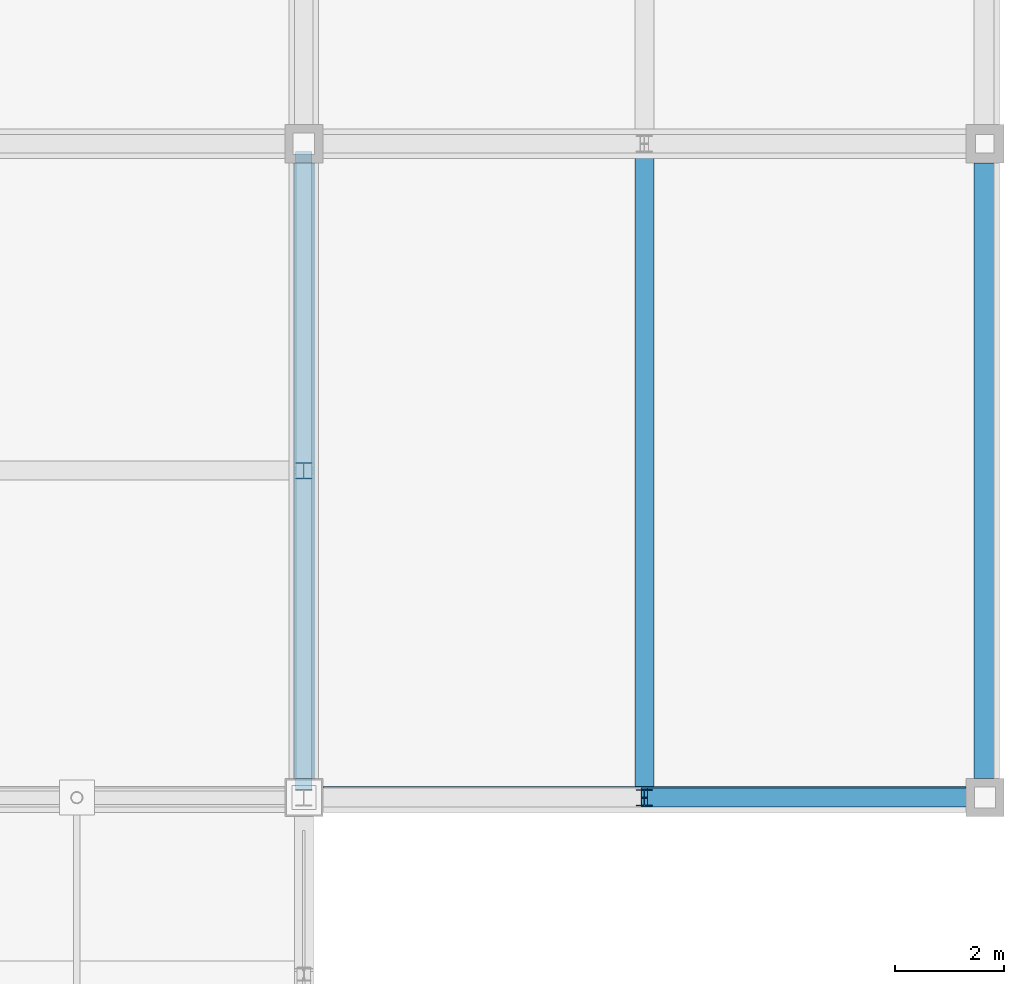
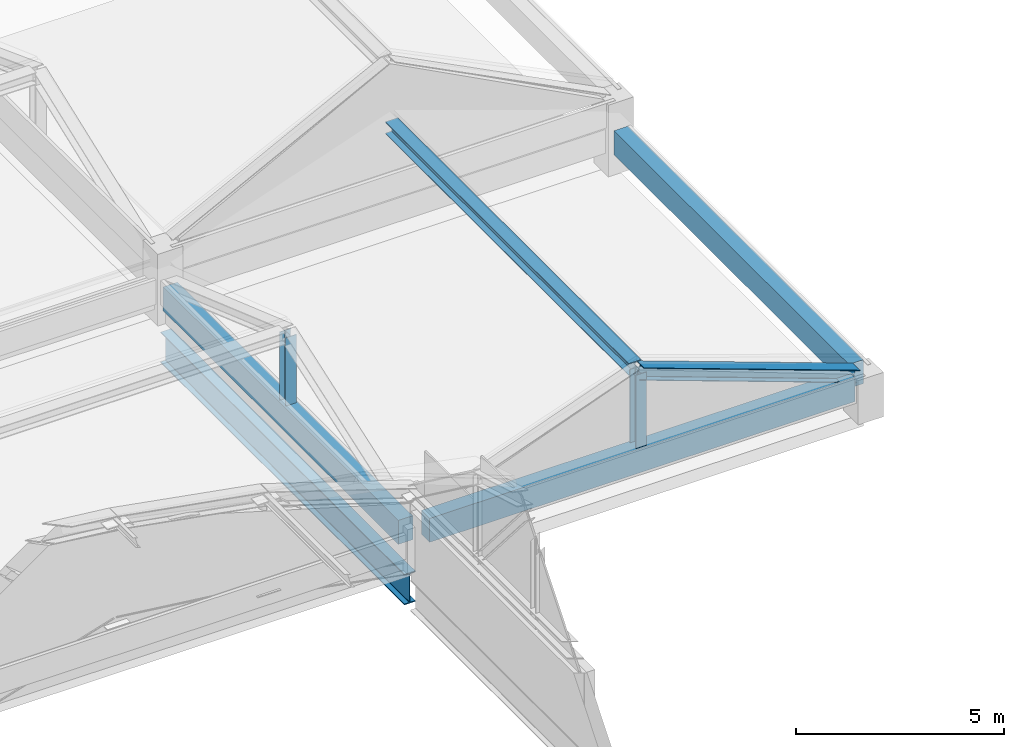
# One storey, part 76 of 117: 4 beams, 4 members.
"""IFC4 building model written with IfcOpenShell, lengths in metres."""

import ifcopenshell
import ifcopenshell.guid

model = None  # the IFC model being written
_history = None  # IfcOwnerHistory: only IFC2X3 demands one
_inside = {}  # id of a spatial element -> (the spatial element, [elements in it])
_under = {}  # id of a project, library or spatial element -> (it, [spatial elements below it])
_declared = {}  # id of a project -> (the project, [libraries it declares])
_typed = {}  # id of a type object -> (the type object, [elements of that type])
_made_of = {}  # id of a material, layer set ... -> (it, [elements and type objects made of it])


def new_model(schema):
    """Start an empty IFC model of exactly this schema.

    Asked for "IFC4X3", IfcOpenShell would pick the latest addendum, in which some entities
    have other attributes; the version numbers below select the first issue.
    IFC2X3 requires an IfcOwnerHistory on every rooted entity: one is made here for all.
    """
    global model, _history
    if schema == "IFC4X3":
        model = ifcopenshell.file(schema_version=(4, 3, 0, 0))
    else:
        model = ifcopenshell.file(schema=schema)
    _inside.clear()
    _under.clear()
    _declared.clear()
    _typed.clear()
    _made_of.clear()
    _history = None
    if model.schema == "IFC2X3":
        org = make("IfcOrganization", Name="unknown")
        user = make(
            "IfcPersonAndOrganization",
            ThePerson=make("IfcPerson", FamilyName="unknown"),
            TheOrganization=org,
        )
        app = make(
            "IfcApplication",
            ApplicationDeveloper=org,
            Version="unknown",
            ApplicationFullName="unknown",
            ApplicationIdentifier="unknown",
        )
        _history = make(
            "IfcOwnerHistory",
            OwningUser=user,
            OwningApplication=app,
            ChangeAction="ADDED",
            CreationDate=0,
        )
    return model


def make(cls, **values):
    """One entity of the class cls with the attributes given. An attribute that is None is left unset."""
    return model.create_entity(
        cls, **{name: value for name, value in values.items() if value is not None}
    )


def rooted(cls, **values):
    """An entity with a GlobalId (a new one), such as an element, a storey or a relation."""
    return make(cls, GlobalId=ifcopenshell.guid.new(), OwnerHistory=_history, **values)


def si_unit(unit_type, name, prefix=None):
    """IfcSIUnit, for example si_unit("LENGTHUNIT", "METRE", prefix="MILLI")."""
    return make("IfcSIUnit", UnitType=unit_type, Prefix=prefix, Name=name)


def assignment(units):
    """IfcUnitAssignment: the units of a project."""
    return None if units is None else make("IfcUnitAssignment", Units=units)


def point(xyz):
    """IfcCartesianPoint."""
    return None if xyz is None else make("IfcCartesianPoint", Coordinates=xyz)


def direction(xyz):
    """IfcDirection."""
    return None if xyz is None else make("IfcDirection", DirectionRatios=xyz)


def frame(location, z_axis=None, x_axis=None):
    """IfcAxis2Placement3D, a coordinate frame: its origin and axes. An axis left out is left unset."""
    return make(
        "IfcAxis2Placement3D",
        Location=point(location),
        Axis=direction(z_axis),
        RefDirection=direction(x_axis),
    )


def frame_2d(location, x_axis=None):
    """IfcAxis2Placement2D, a coordinate frame in the plane: its origin and x axis."""
    return make(
        "IfcAxis2Placement2D", Location=point(location), RefDirection=direction(x_axis)
    )


def origin():
    """The frame at (0, 0, 0) with its axes left unset."""
    return frame((0.0, 0.0, 0.0))


def origin_2d():
    """The frame at (0, 0) in the plane with its x axis left unset."""
    return frame_2d((0.0, 0.0))


def place(relative_to, where):
    """IfcLocalPlacement: puts the frame where relative to a parent placement (None: the world)."""
    return make(
        "IfcLocalPlacement", PlacementRelTo=relative_to, RelativePlacement=where
    )


def context(
    kind, dimensions, precision=None, world=None, true_north=None, identifier=None
):
    """IfcGeometricRepresentationContext, for example the 3D "Model" context."""
    return make(
        "IfcGeometricRepresentationContext",
        ContextIdentifier=identifier,
        ContextType=kind,
        CoordinateSpaceDimension=dimensions,
        Precision=precision,
        WorldCoordinateSystem=world,
        TrueNorth=true_north,
    )


def subcontext(parent, identifier, kind, view, scale=None):
    """IfcGeometricRepresentationSubContext, for example "Body" below "Model"."""
    return make(
        "IfcGeometricRepresentationSubContext",
        ContextIdentifier=identifier,
        ContextType=kind,
        ParentContext=parent,
        TargetScale=scale,
        TargetView=view,
    )


def project(units=None, contexts=None):
    """IfcProject with its units and contexts."""
    return rooted(
        "IfcProject",
        Name="project",
        RepresentationContexts=contexts,
        UnitsInContext=assignment(units),
    )


def spatial(cls, under=None, at=None, **own):
    """A site, building, storey or space (cls), placed at a placement, below another one or the project."""
    s = rooted(cls, ObjectPlacement=at, **own)
    if under is not None:
        _under.setdefault(under.id(), (under, []))[1].append(s)
    return s


def profile(cls, at=None, kind="AREA", **sizes):
    """A parametric profile (cls). Its sizes go by their IFC names, for example OverallWidth=200.0."""
    return make(cls, ProfileType=kind, Position=at, **sizes)


def rectangle(**sizes):
    """IfcRectangleProfileDef."""
    return profile("IfcRectangleProfileDef", **sizes)


def i_section(**sizes):
    """IfcIShapeProfileDef."""
    return profile("IfcIShapeProfileDef", **sizes)


def extrude(swept, where, along, depth):
    """IfcExtrudedAreaSolid: the profile swept, set in the frame where, extruded along a direction by depth."""
    return make(
        "IfcExtrudedAreaSolid",
        SweptArea=swept,
        Position=where,
        ExtrudedDirection=direction(along),
        Depth=depth,
    )


def shape(context_of_items, identifier, shape_type, items):
    """IfcShapeRepresentation: the items that make up one representation, for example the "Body"."""
    return make(
        "IfcShapeRepresentation",
        ContextOfItems=context_of_items,
        RepresentationIdentifier=identifier,
        RepresentationType=shape_type,
        Items=items,
    )


def material(Name=None, Category=None):
    """IfcMaterial."""
    return make("IfcMaterial", Name=Name, Category=Category)


def material_profile(
    of_material, cross_section, Name=None, Category=None, Priority=None
):
    """IfcMaterialProfile: a cross section and its material."""
    return make(
        "IfcMaterialProfile",
        Name=Name,
        Material=of_material,
        Profile=cross_section,
        Priority=Priority,
        Category=Category,
    )


def profile_set(profiles, Name=None, composite=None):
    """IfcMaterialProfileSet."""
    return make(
        "IfcMaterialProfileSet",
        Name=Name,
        MaterialProfiles=profiles,
        CompositeProfile=composite,
    )


def made_of(thing, what):
    """Note that an element or type object is made of a material, layer set ...; save() writes the relation."""
    if what is not None:
        _made_of.setdefault(what.id(), (what, []))[1].append(thing)
    return thing


def type_object(cls, material=None, **own):
    """A type object (cls), such as IfcWallType, which elements share."""
    return made_of(rooted(cls, **own), material)


def element(
    cls,
    number,
    at=None,
    inside=None,
    cuts=None,
    type_object=None,
    material=None,
    context=None,
    identifier="Body",
    shape_type=None,
    held_by="IfcProductDefinitionShape",
    body=None,
    shapes=None,
    **own,
):
    """One element of the class cls, such as IfcWall. Its Tag is "e" and its number.

    at: its placement. inside: the storey or other place that contains it. cuts: it is an
    opening in that element (IfcRelVoidsElement). A single representation is given by context,
    identifier, shape_type and body (its items); several are given by shapes. held_by: the class
    of the entity that holds the representations. save() writes the other relations.
    """
    e = rooted(cls, Tag="e%d" % number, ObjectPlacement=at, **own)
    if body is not None:
        shapes = [shape(context, identifier, shape_type, body)]
    if shapes is not None:
        e.Representation = make(held_by, Representations=shapes)
    if inside is not None:
        _inside.setdefault(inside.id(), (inside, []))[1].append(e)
    if cuts is not None:
        rooted(
            "IfcRelVoidsElement", RelatingBuildingElement=cuts, RelatedOpeningElement=e
        )
    if type_object is not None:
        _typed.setdefault(type_object.id(), (type_object, []))[1].append(e)
    return made_of(e, material)


def aggregate(whole, parts):
    """IfcRelAggregates: a whole, such as a stair, and the parts it consists of."""
    return rooted("IfcRelAggregates", RelatingObject=whole, RelatedObjects=parts)


def save(model, path):
    """Write the relations noted so far, then the file.

    IfcRelAggregates (storeys below a building ...), IfcRelContainedInSpatialStructure (elements
    in a storey), IfcRelDefinesByType, IfcRelAssociatesMaterial and IfcRelDeclares: one each for
    every whole, place, type object, material and project.
    """
    for whole, parts in _under.values():
        aggregate(whole, parts)
    for where, things in _inside.values():
        rooted(
            "IfcRelContainedInSpatialStructure",
            RelatedElements=things,
            RelatingStructure=where,
        )
    for kind, things in _typed.values():
        rooted("IfcRelDefinesByType", RelatedObjects=things, RelatingType=kind)
    for what, things in _made_of.values():
        rooted("IfcRelAssociatesMaterial", RelatedObjects=things, RelatingMaterial=what)
    for by, libraries in _declared.values():
        rooted("IfcRelDeclares", RelatingContext=by, RelatedDefinitions=libraries)
    model.write(path)


model = new_model("IFC4")

# Units and contexts
model_context = context("Model", 3, precision=1e-05, world=origin(), true_north=direction((0.0, 1.0)))
body_context = subcontext(model_context, "Body", "Model", "MODEL_VIEW")
ifc_project = project(units=[si_unit("LENGTHUNIT", "METRE"), si_unit("AREAUNIT", "SQUARE_METRE"), si_unit("VOLUMEUNIT", "CUBIC_METRE"), si_unit("PLANEANGLEUNIT", "RADIAN"), si_unit("MASSUNIT", "GRAM", prefix="KILO")], contexts=[model_context])

# Site, building, storey
site_placement = place(None, origin())
site = spatial("IfcSite", under=ifc_project, at=site_placement, CompositionType="ELEMENT")
building_placement = place(site_placement, origin())
building = spatial("IfcBuilding", under=site, at=building_placement, Name="Kazenohara Klinker Stadium", CompositionType="ELEMENT")
storey_placement = place(building_placement, frame((0.0, 0.0, 31.199951171875)))
storey = spatial("IfcBuildingStorey", under=building, at=storey_placement, Name="RF", CompositionType="ELEMENT", Elevation=31.199951171875)

# Beams
ifc_material_1 = material(Name="Concrete C40/50", Category="concrete")
ifc_material_profile_1 = material_profile(ifc_material_1, rectangle(XDim=0.39990234375, YDim=0.699951171875, at=origin_2d()), Name="RC-BM-400x700")
ifc_profile_set_1 = profile_set([ifc_material_profile_1], Name="Concrete C40/50")
beam_type_1 = type_object("IfcBeamType", Name="BM-RC04", PredefinedType="BEAM", material=ifc_profile_set_1)
beam_1_placement = place(storey_placement, frame((187.85009765625, 132.0, 0.949951171875), z_axis=(1.0, 0.0, 0.0), x_axis=(0.0, 1.0, 0.0)))
element("IfcBeam", 1, at=beam_1_placement, inside=storey, type_object=beam_type_1, Name="Turret crown eave girder BG04 RF X15-11", PredefinedType="BEAM", context=body_context, shape_type="SweptSolid", body=[
    extrude(rectangle(XDim=0.39990234375, YDim=0.699951171875, at=origin_2d()), origin(), (0.0, 0.0, 1.0), 11.7998046875),
])
for number, where, z_axis, x_axis, name in (
    (2, (187.5, 132.35009765625, 0.75), (0.0, 1.0, 0.0), (-1.0, 0.0, 0.0), "Turret crown eave girder BG04 RF Y15-11"),
    (3, (200.0, 132.35009765625, 0.949951171875), (0.0, 1.0, 0.0), (-1.0, 0.0, 0.0), "Turret crown eave girder BG04 RF Y16-11"),
):
    element("IfcBeam", number, at=place(storey_placement, frame(where, z_axis=z_axis, x_axis=x_axis)), inside=storey, type_object=beam_type_1, Name=name, PredefinedType="BEAM", context=body_context, shape_type="SweptSolid", body=[
        extrude(rectangle(XDim=0.39990234375, YDim=0.699951171875, at=origin_2d()), origin(), (0.0, 0.0, 1.0), 11.2998046875),
    ])

# Members
ifc_material_2 = material(Name="Steel S355", Category="steel")
ifc_material_profile_2 = material_profile(ifc_material_2, i_section(OverallWidth=0.35009765625, OverallDepth=0.35009765625, WebThickness=0.011962890625, FlangeThickness=0.01904296875, FilletRadius=0.012939453125, at=origin_2d()), Name="H-350x350x12x19")
ifc_profile_set_2 = profile_set([ifc_material_profile_2], Name="Steel S355")
member_type_1 = type_object("IfcMemberType", Name="MEM-CHD02", PredefinedType="CHORD", material=ifc_profile_set_2)
member_1_placement = place(storey_placement, frame((199.75, 132.0, 1.280029296875), z_axis=(-0.940390807712, 0.0, 0.340095764117), x_axis=(0.0, -1.0, 0.0)))
element("IfcMember", 4, at=member_1_placement, inside=storey, type_object=member_type_1, Name="Crown gable rafter GT3-SE S East", PredefinedType="CHORD", context=body_context, shape_type="SweptSolid", body=[
    extrude(i_section(OverallWidth=0.35009765625, OverallDepth=0.35009765625, WebThickness=0.011962890625, FlangeThickness=0.01904296875, FilletRadius=0.012939453125, at=origin_2d()), origin(), (0.0, 0.0, 1.0), 6.38037109375),
])
member_2_placement = place(storey_placement, frame((193.75, 132.14990234375, 3.449951171875), z_axis=(0.0, 1.0, 0.0), x_axis=(-1.0, 0.0, 0.0)))
element("IfcMember", 5, at=member_2_placement, inside=storey, type_object=member_type_1, Name="Crown ridge beam GT3-SE", PredefinedType="CHORD", context=body_context, shape_type="SweptSolid", body=[
    extrude(i_section(OverallWidth=0.35009765625, OverallDepth=0.35009765625, WebThickness=0.011962890625, FlangeThickness=0.01904296875, FilletRadius=0.012939453125, at=origin_2d()), origin(), (0.0, 0.0, 1.0), 11.7001953125),
])
ifc_material_profile_3 = material_profile(ifc_material_2, i_section(OverallWidth=0.300048828125, OverallDepth=0.300048828125, WebThickness=0.010009765625, FlangeThickness=0.014892578125, FilletRadius=0.012939453125, at=origin_2d()), Name="H-300x300x10x15")
ifc_profile_set_3 = profile_set([ifc_material_profile_3], Name="Steel S355")
member_type_2 = type_object("IfcMemberType", Name="MEM-STR01", PredefinedType="STRUT", material=ifc_profile_set_3)
member_3_placement = place(storey_placement, frame((193.75, 132.0, 1.280029296875), z_axis=(0.0, 0.0, 1.0), x_axis=(1.0, 0.0, 0.0)))
element("IfcMember", 6, at=member_3_placement, inside=storey, type_object=member_type_2, Name="Crown gable king-post GT3-SE S", PredefinedType="STRUT", context=body_context, shape_type="SweptSolid", body=[
    extrude(i_section(OverallWidth=0.300048828125, OverallDepth=0.300048828125, WebThickness=0.010009765625, FlangeThickness=0.014892578125, FilletRadius=0.012939453125, at=origin_2d()), origin(), (0.0, 0.0, 1.0), 2.169921875),
])
member_4_placement = place(storey_placement, frame((187.5, 138.0, 1.080078125), z_axis=(0.0, 0.0, 1.0), x_axis=(1.0, 0.0, 0.0)))
element("IfcMember", 7, at=member_4_placement, inside=storey, type_object=member_type_2, Name="Crown gable king-post GT3-SW E", PredefinedType="STRUT", context=body_context, shape_type="SweptSolid", body=[
    extrude(i_section(OverallWidth=0.300048828125, OverallDepth=0.300048828125, WebThickness=0.010009765625, FlangeThickness=0.014892578125, FilletRadius=0.012939453125, at=origin_2d()), origin(), (0.0, 0.0, 1.0), 2.02001953125),
])

# Beam
ifc_material_profile_4 = material_profile(ifc_material_2, i_section(OverallWidth=0.300048828125, OverallDepth=0.89990234375, WebThickness=0.01611328125, FlangeThickness=0.028076171875, FilletRadius=0.02197265625, at=origin_2d()), Name="H-900x300x16x28")
ifc_profile_set_4 = profile_set([ifc_material_profile_4], Name="Steel S355")
beam_type_2 = type_object("IfcBeamType", Name="RING-RB01", PredefinedType="USERDEFINED", material=ifc_profile_set_4)
beam_2_placement = place(storey_placement, frame((187.5, 132.139892578125, -0.820068359375), z_axis=(0.0, 1.0, 0.0), x_axis=(-1.0, 0.0, 0.0)))
element("IfcBeam", 8, at=beam_2_placement, inside=storey, type_object=beam_type_2, Name="Roof ring beam RB01 E-OUT M-N", ObjectType="RING BEAM", PredefinedType="USERDEFINED", context=body_context, shape_type="SweptSolid", body=[
    extrude(i_section(OverallWidth=0.300048828125, OverallDepth=0.89990234375, WebThickness=0.01611328125, FlangeThickness=0.028076171875, FilletRadius=0.02197265625, at=origin_2d()), origin(), (0.0, 0.0, 1.0), 11.72021484375),
])

save(model, "model.ifc")
